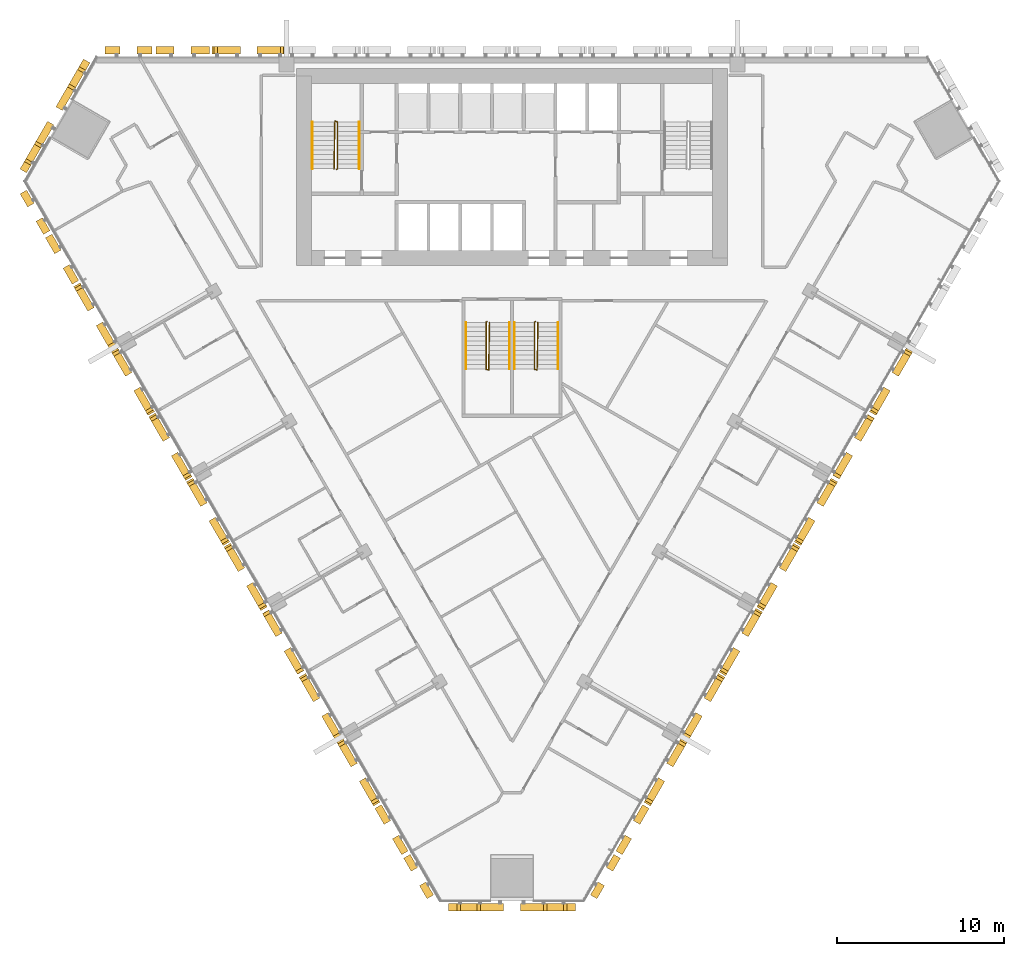
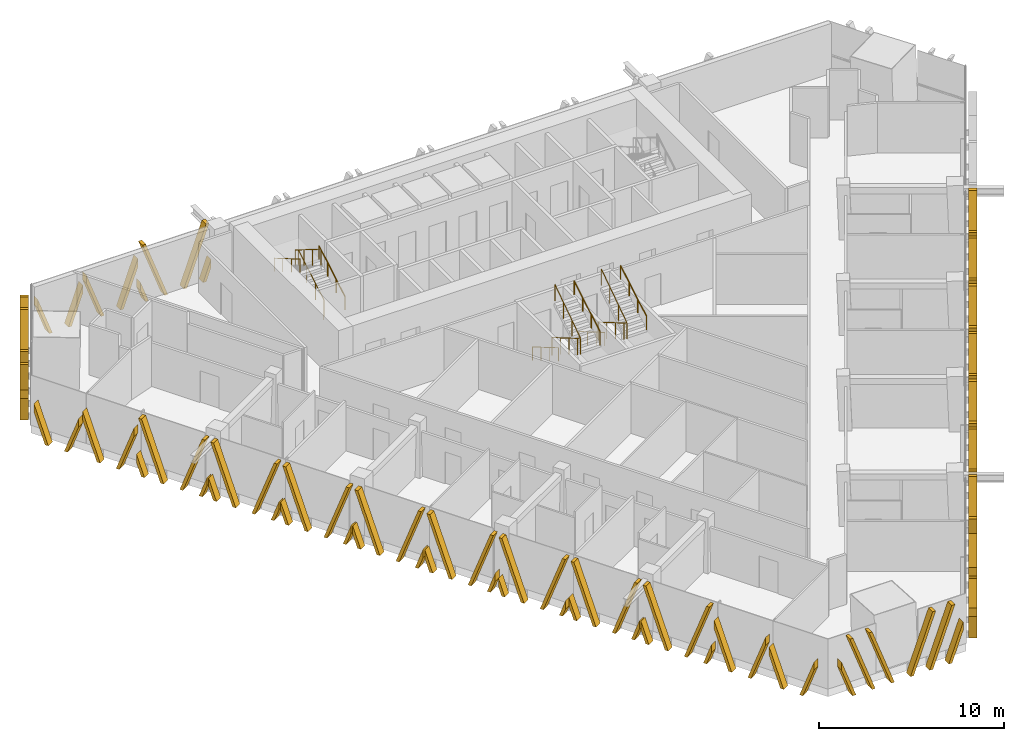
# One storey, part 13 of 15: 26 shading devices, 9 railings.
"""IFC4 building model written with IfcOpenShell, lengths in metres."""

from ifc_helpers import new_model, si_unit, direction, frame, origin, origin_2d, place, context, subcontext, project, spatial, polyline, circle, outline, extrude, source, transform, mapped, material, type_object, element, save


model = new_model("IFC4")

# Units and contexts
model_context = context("Model", 3, precision=1e-05, world=origin(), true_north=direction((0.0, 1.0)))
body_context = subcontext(model_context, "Body", "Model", "MODEL_VIEW")
ifc_project = project(units=[si_unit("LENGTHUNIT", "METRE"), si_unit("AREAUNIT", "SQUARE_METRE"), si_unit("VOLUMEUNIT", "CUBIC_METRE"), si_unit("PLANEANGLEUNIT", "RADIAN"), si_unit("MASSUNIT", "GRAM", prefix="KILO")], contexts=[model_context])

# Site, building, storey
site_placement = place(None, origin())
site = spatial("IfcSite", under=ifc_project, at=site_placement, CompositionType="ELEMENT")
building_placement = place(site_placement, origin())
building = spatial("IfcBuilding", under=site, at=building_placement, Name="Altiplano Prism Tower", CompositionType="ELEMENT")
storey_placement = place(building_placement, frame((0.0, 0.0, 91.800048828125)))
storey = spatial("IfcBuildingStorey", under=building, at=storey_placement, Name="L23", CompositionType="ELEMENT", Elevation=91.800048828125)

# Railings
ifc_material_1 = material(Name="Steel S355", Category="steel")
railing_type_1 = type_object("IfcRailingType", Name="Stair guard 1100", PredefinedType="GUARDRAIL", material=ifc_material_1)
railing_1_placement = place(storey_placement, frame((74.5, 98.25, 0.0)))
element("IfcRailing", 1, at=railing_1_placement, inside=storey, type_object=railing_type_1, Name="L23 ST1 stair guard 1", PredefinedType="GUARDRAIL", context=body_context, shape_type="SweptSolid", body=[
    extrude(circle(Radius=0.02392578125, at=origin_2d()), frame((0.0, 0.0, 1.076171875), z_axis=(0.280808744504, 0.280808744504, 0.917765164963), x_axis=(-0.707106781187, 0.707106781187, 0.0)), (0.0, 0.0, 1.0), 0.17822265625),
    extrude(circle(Radius=0.02392578125, at=origin_2d()), frame((0.050048828125, 0.050048828125, 1.23974609375), z_axis=(0.0, 0.863360870873, 0.504586966384), x_axis=(-1.0, 0.0, 0.0)), (0.0, 0.0, 1.0), 3.2431640625),
    extrude(circle(Radius=0.02392578125, at=origin_2d()), frame((0.050048828125, 2.85009765625, 2.8759765625), z_axis=(-0.949145278916, 0.314838433982, 0.0), x_axis=(-0.314838433982, -0.949145278916, 0.0)), (0.0, 0.0, 1.0), 0.158203125),
    extrude(circle(Radius=0.02392578125, at=origin_2d()), frame((-0.10009765625, 2.89990234375, 2.8759765625), z_axis=(-0.014774583964, -0.845410385345, 0.533912906773), x_axis=(0.999847325713, -0.01747355902, 0.0)), (0.0, 0.0, 1.0), 3.370849609375),
    extrude(circle(Radius=0.02099609375, at=origin_2d()), origin(), (0.0, 0.0, 1.0), 1.052001953125),
    extrude(circle(Radius=0.02099609375, at=origin_2d()), frame((0.050048828125, 0.050048828125, 0.16357421875)), (0.0, 0.0, 1.0), 1.052001953125),
    extrude(circle(Radius=0.02099609375, at=origin_2d()), frame((0.050048828125, 0.9833984375, 0.708984375)), (0.0, 0.0, 1.0), 1.052001953125),
    extrude(circle(Radius=0.02099609375, at=origin_2d()), frame((0.050048828125, 1.916748046875, 1.254638671875)), (0.0, 0.0, 1.0), 1.052001953125),
    extrude(circle(Radius=0.02099609375, at=origin_2d()), frame((0.050048828125, 2.85009765625, 1.800048828125)), (0.0, 0.0, 1.0), 1.052001953125),
    extrude(circle(Radius=0.02099609375, at=origin_2d()), frame((-0.10009765625, 2.89990234375, 1.800048828125)), (0.0, 0.0, 1.0), 1.052001953125),
    extrude(circle(Radius=0.02099609375, at=origin_2d()), frame((-0.11669921875, 1.949951171875, 2.39990234375)), (0.0, 0.0, 1.0), 1.052001953125),
    extrude(circle(Radius=0.02099609375, at=origin_2d()), frame((-0.13330078125, 1.0, 3.0)), (0.0, 0.0, 1.0), 1.052001953125),
    extrude(circle(Radius=0.02099609375, at=origin_2d()), frame((-0.14990234375, 0.050048828125, 3.599853515625)), (0.0, 0.0, 1.0), 1.052001953125),
])
railing_2_placement = place(storey_placement, frame((83.5, 89.14990234375, 0.0)))
element("IfcRailing", 2, at=railing_2_placement, inside=storey, type_object=railing_type_1, Name="L23 ST3A stair guard 1", PredefinedType="GUARDRAIL", context=body_context, shape_type="SweptSolid", body=[
    extrude(circle(Radius=0.02392578125, at=origin_2d()), frame((0.0, 0.0, 1.076171875), z_axis=(-0.280916556609, -0.279546231943, 0.91811752648), x_axis=(0.705375805398, -0.708833529934, 0.0)), (0.0, 0.0, 1.0), 0.17822265625),
    extrude(circle(Radius=0.02392578125, at=origin_2d()), frame((-0.050048828125, -0.0498046875, 1.23974609375), z_axis=(0.0, -0.863360870873, 0.504586966384), x_axis=(1.0, 0.0, 0.0)), (0.0, 0.0, 1.0), 3.2431640625),
    extrude(circle(Radius=0.02392578125, at=origin_2d()), frame((-0.050048828125, -2.849853515625, 2.8759765625), z_axis=(0.948683298051, -0.316227766017, 0.0), x_axis=(0.316227766017, 0.948683298051, 0.0)), (0.0, 0.0, 1.0), 0.158203125),
    extrude(circle(Radius=0.02392578125, at=origin_2d()), frame((0.10009765625, -2.89990234375, 2.8759765625), z_axis=(0.014773679385, 0.845431044782, 0.53388021776), x_axis=(-0.999847351862, 0.017472062685, 0.0)), (0.0, 0.0, 1.0), 3.37109375),
    extrude(circle(Radius=0.02099609375, at=origin_2d()), origin(), (0.0, 0.0, 1.0), 1.052001953125),
    extrude(circle(Radius=0.02099609375, at=origin_2d()), frame((-0.050048828125, -0.0498046875, 0.16357421875)), (0.0, 0.0, 1.0), 1.052001953125),
    extrude(circle(Radius=0.02099609375, at=origin_2d()), frame((-0.050048828125, -0.983154296875, 0.708984375)), (0.0, 0.0, 1.0), 1.052001953125),
    extrude(circle(Radius=0.02099609375, at=origin_2d()), frame((-0.050048828125, -1.91650390625, 1.254638671875)), (0.0, 0.0, 1.0), 1.052001953125),
    extrude(circle(Radius=0.02099609375, at=origin_2d()), frame((-0.050048828125, -2.849853515625, 1.800048828125)), (0.0, 0.0, 1.0), 1.052001953125),
    extrude(circle(Radius=0.02099609375, at=origin_2d()), frame((0.10009765625, -2.89990234375, 1.800048828125)), (0.0, 0.0, 1.0), 1.052001953125),
    extrude(circle(Radius=0.02099609375, at=origin_2d()), frame((0.11669921875, -1.949951171875, 2.39990234375)), (0.0, 0.0, 1.0), 1.052001953125),
    extrude(circle(Radius=0.02099609375, at=origin_2d()), frame((0.13330078125, -0.999755859375, 3.0)), (0.0, 0.0, 1.0), 1.052001953125),
    extrude(circle(Radius=0.02099609375, at=origin_2d()), frame((0.14990234375, -0.0498046875, 3.599853515625)), (0.0, 0.0, 1.0), 1.052001953125),
])
railing_3_placement = place(storey_placement, frame((86.39990234375, 89.14990234375, 0.0)))
element("IfcRailing", 3, at=railing_3_placement, inside=storey, type_object=railing_type_1, Name="L23 ST3B stair guard 1", PredefinedType="GUARDRAIL", context=body_context, shape_type="SweptSolid", body=[
    extrude(circle(Radius=0.02392578125, at=origin_2d()), frame((0.0, 0.0, 1.076171875), z_axis=(-0.279653641804, -0.279653641804, 0.918470294159), x_axis=(0.707106781187, -0.707106781187, 0.0)), (0.0, 0.0, 1.0), 0.177978515625),
    extrude(circle(Radius=0.02392578125, at=origin_2d()), frame((-0.0498046875, -0.0498046875, 1.23974609375), z_axis=(0.0, -0.863360870873, 0.504586966384), x_axis=(1.0, 0.0, 0.0)), (0.0, 0.0, 1.0), 3.2431640625),
    extrude(circle(Radius=0.02392578125, at=origin_2d()), frame((-0.0498046875, -2.849853515625, 2.8759765625), z_axis=(0.948528701346, -0.316691178788, 0.0), x_axis=(0.316691178788, 0.948528701346, 0.0)), (0.0, 0.0, 1.0), 0.157958984375),
    extrude(circle(Radius=0.02392578125, at=origin_2d()), frame((0.10009765625, -2.89990234375, 2.8759765625), z_axis=(0.014846083459, 0.845430138032, 0.533879645158), x_axis=(-0.999845851991, 0.017557683712, 0.0)), (0.0, 0.0, 1.0), 3.37109375),
    extrude(circle(Radius=0.02099609375, at=origin_2d()), origin(), (0.0, 0.0, 1.0), 1.052001953125),
    extrude(circle(Radius=0.02099609375, at=origin_2d()), frame((-0.0498046875, -0.0498046875, 0.16357421875)), (0.0, 0.0, 1.0), 1.052001953125),
    extrude(circle(Radius=0.02099609375, at=origin_2d()), frame((-0.0498046875, -0.983154296875, 0.708984375)), (0.0, 0.0, 1.0), 1.052001953125),
    extrude(circle(Radius=0.02099609375, at=origin_2d()), frame((-0.0498046875, -1.91650390625, 1.254638671875)), (0.0, 0.0, 1.0), 1.052001953125),
    extrude(circle(Radius=0.02099609375, at=origin_2d()), frame((-0.0498046875, -2.849853515625, 1.800048828125)), (0.0, 0.0, 1.0), 1.052001953125),
    extrude(circle(Radius=0.02099609375, at=origin_2d()), frame((0.10009765625, -2.89990234375, 1.800048828125)), (0.0, 0.0, 1.0), 1.052001953125),
    extrude(circle(Radius=0.02099609375, at=origin_2d()), frame((0.11669921875, -1.949951171875, 2.39990234375)), (0.0, 0.0, 1.0), 1.052001953125),
    extrude(circle(Radius=0.02099609375, at=origin_2d()), frame((0.133544921875, -0.999755859375, 3.0)), (0.0, 0.0, 1.0), 1.052001953125),
    extrude(circle(Radius=0.02099609375, at=origin_2d()), frame((0.150146484375, -0.0498046875, 3.599853515625)), (0.0, 0.0, 1.0), 1.052001953125),
])
railing_type_2 = type_object("IfcRailingType", Name="Stair handrail 900", PredefinedType="HANDRAIL", material=ifc_material_1)
railing_4_placement = place(storey_placement, frame((75.85009765625, 98.300048828125, 0.16357421875)))
element("IfcRailing", 4, at=railing_4_placement, inside=storey, type_object=railing_type_2, Name="L23 ST1 stair handrail 1", PredefinedType="HANDRAIL", context=body_context, shape_type="SweptSolid", body=[
    extrude(circle(Radius=0.02392578125, at=origin_2d()), frame((0.0, 0.0, 0.8759765625), z_axis=(0.0, 0.863360870873, 0.504586966384), x_axis=(-1.0, 0.0, 0.0)), (0.0, 0.0, 1.0), 3.2431640625),
    extrude(circle(Radius=0.02099609375, at=origin_2d()), origin(), (0.0, 0.0, 1.0), 0.851806640625),
    extrude(circle(Radius=0.02099609375, at=origin_2d()), frame((0.0, 0.933349609375, 0.54541015625)), (0.0, 0.0, 1.0), 0.851806640625),
    extrude(circle(Radius=0.02099609375, at=origin_2d()), frame((0.0, 1.86669921875, 1.091064453125)), (0.0, 0.0, 1.0), 0.851806640625),
    extrude(circle(Radius=0.02099609375, at=origin_2d()), frame((0.0, 2.800048828125, 1.636474609375)), (0.0, 0.0, 1.0), 0.851806640625),
])
railing_5_placement = place(storey_placement, frame((73.050048828125, 101.10009765625, 1.963623046875)))
element("IfcRailing", 5, at=railing_5_placement, inside=storey, type_object=railing_type_2, Name="L23 ST1 stair handrail 2", PredefinedType="HANDRAIL", context=body_context, shape_type="SweptSolid", body=[
    extrude(circle(Radius=0.02392578125, at=origin_2d()), frame((0.0, 0.0, 0.8759765625), z_axis=(0.0, -0.863393664356, 0.504530851732), x_axis=(1.0, 0.0, 0.0)), (0.0, 0.0, 1.0), 3.2431640625),
    extrude(circle(Radius=0.02099609375, at=origin_2d()), origin(), (0.0, 0.0, 1.0), 0.851806640625),
    extrude(circle(Radius=0.02099609375, at=origin_2d()), frame((0.0, -0.933349609375, 0.54541015625)), (0.0, 0.0, 1.0), 0.851806640625),
    extrude(circle(Radius=0.02099609375, at=origin_2d()), frame((0.0, -1.86669921875, 1.0908203125)), (0.0, 0.0, 1.0), 0.851806640625),
    extrude(circle(Radius=0.02099609375, at=origin_2d()), frame((0.0, -2.800048828125, 1.63623046875)), (0.0, 0.0, 1.0), 0.851806640625),
])
railing_6_placement = place(storey_placement, frame((82.25, 89.10009765625, 0.16357421875)))
element("IfcRailing", 6, at=railing_6_placement, inside=storey, type_object=railing_type_2, Name="L23 ST3A stair handrail 1", PredefinedType="HANDRAIL", context=body_context, shape_type="SweptSolid", body=[
    extrude(circle(Radius=0.02392578125, at=origin_2d()), frame((0.0, 0.0, 0.8759765625), z_axis=(0.0, -0.863360870873, 0.504586966384), x_axis=(1.0, 0.0, 0.0)), (0.0, 0.0, 1.0), 3.2431640625),
    extrude(circle(Radius=0.02099609375, at=origin_2d()), origin(), (0.0, 0.0, 1.0), 0.851806640625),
    extrude(circle(Radius=0.02099609375, at=origin_2d()), frame((0.0, -0.933349609375, 0.54541015625)), (0.0, 0.0, 1.0), 0.851806640625),
    extrude(circle(Radius=0.02099609375, at=origin_2d()), frame((0.0, -1.86669921875, 1.091064453125)), (0.0, 0.0, 1.0), 0.851806640625),
    extrude(circle(Radius=0.02099609375, at=origin_2d()), frame((0.0, -2.800048828125, 1.636474609375)), (0.0, 0.0, 1.0), 0.851806640625),
])
railing_7_placement = place(storey_placement, frame((84.85009765625, 86.300048828125, 1.963623046875)))
element("IfcRailing", 7, at=railing_7_placement, inside=storey, type_object=railing_type_2, Name="L23 ST3A stair handrail 2", PredefinedType="HANDRAIL", context=body_context, shape_type="SweptSolid", body=[
    extrude(circle(Radius=0.02392578125, at=origin_2d()), frame((0.0, 0.0, 0.8759765625), z_axis=(0.0, 0.863393664356, 0.504530851732), x_axis=(-1.0, 0.0, 0.0)), (0.0, 0.0, 1.0), 3.2431640625),
    extrude(circle(Radius=0.02099609375, at=origin_2d()), origin(), (0.0, 0.0, 1.0), 0.851806640625),
    extrude(circle(Radius=0.02099609375, at=origin_2d()), frame((0.0, 0.933349609375, 0.54541015625)), (0.0, 0.0, 1.0), 0.851806640625),
    extrude(circle(Radius=0.02099609375, at=origin_2d()), frame((0.0, 1.86669921875, 1.0908203125)), (0.0, 0.0, 1.0), 0.851806640625),
    extrude(circle(Radius=0.02099609375, at=origin_2d()), frame((0.0, 2.800048828125, 1.63623046875)), (0.0, 0.0, 1.0), 0.851806640625),
])
railing_8_placement = place(storey_placement, frame((85.14990234375, 89.10009765625, 0.16357421875)))
element("IfcRailing", 8, at=railing_8_placement, inside=storey, type_object=railing_type_2, Name="L23 ST3B stair handrail 1", PredefinedType="HANDRAIL", context=body_context, shape_type="SweptSolid", body=[
    extrude(circle(Radius=0.02392578125, at=origin_2d()), frame((0.0, 0.0, 0.8759765625), z_axis=(0.0, -0.863360870873, 0.504586966384), x_axis=(1.0, 0.0, 0.0)), (0.0, 0.0, 1.0), 3.2431640625),
    extrude(circle(Radius=0.02099609375, at=origin_2d()), origin(), (0.0, 0.0, 1.0), 0.851806640625),
    extrude(circle(Radius=0.02099609375, at=origin_2d()), frame((0.0, -0.933349609375, 0.54541015625)), (0.0, 0.0, 1.0), 0.851806640625),
    extrude(circle(Radius=0.02099609375, at=origin_2d()), frame((0.0, -1.86669921875, 1.091064453125)), (0.0, 0.0, 1.0), 0.851806640625),
    extrude(circle(Radius=0.02099609375, at=origin_2d()), frame((0.0, -2.800048828125, 1.636474609375)), (0.0, 0.0, 1.0), 0.851806640625),
])
railing_9_placement = place(storey_placement, frame((87.75, 86.300048828125, 1.963623046875)))
element("IfcRailing", 9, at=railing_9_placement, inside=storey, type_object=railing_type_2, Name="L23 ST3B stair handrail 2", PredefinedType="HANDRAIL", context=body_context, shape_type="SweptSolid", body=[
    extrude(circle(Radius=0.02392578125, at=origin_2d()), frame((0.0, 0.0, 0.8759765625), z_axis=(0.0, 0.863393664356, 0.504530851732), x_axis=(-1.0, 0.0, 0.0)), (0.0, 0.0, 1.0), 3.2431640625),
    extrude(circle(Radius=0.02099609375, at=origin_2d()), origin(), (0.0, 0.0, 1.0), 0.851806640625),
    extrude(circle(Radius=0.02099609375, at=origin_2d()), frame((0.0, 0.933349609375, 0.54541015625)), (0.0, 0.0, 1.0), 0.851806640625),
    extrude(circle(Radius=0.02099609375, at=origin_2d()), frame((0.0, 1.86669921875, 1.0908203125)), (0.0, 0.0, 1.0), 0.851806640625),
    extrude(circle(Radius=0.02099609375, at=origin_2d()), frame((0.0, 2.800048828125, 1.63623046875)), (0.0, 0.0, 1.0), 0.851806640625),
])

# Shading devices
ifc_material_2 = material(Name="Warm limestone cast stone", Category="masonry")
shading_device_type_1 = type_object("IfcShadingDeviceType", Name="Stone fin panel, narrow closing bay", PredefinedType="USERDEFINED", material=ifc_material_2)
shared_shape_1 = source(origin(), body_context, "Body", "SweptSolid", [
    extrude(outline(polyline([(-1.39990234375, 2.47265625), (-1.39990234375, 1.923095703125), (-0.699951171875, 0.0), (-0.5, 0.0), (-1.39990234375, 2.47265625)])), frame((0.0, -0.14990234375, 0.0), z_axis=(0.0, -1.0, 0.0), x_axis=(1.0, 0.0, 0.0)), (0.0, 0.0, 1.0), 0.4501953125),
    extrude(outline(polyline([(1.39990234375, 1.923095703125), (1.39990234375, 2.47265625), (0.5, 0.0), (0.699951171875, 0.0), (1.39990234375, 1.923095703125)])), frame((0.0, -0.14990234375, 0.0), z_axis=(0.0, -1.0, 0.0), x_axis=(1.0, 0.0, 0.0)), (0.0, 0.0, 1.0), 0.4501953125),
])
shading_device_1_placement = place(storey_placement, origin())
element("IfcShadingDevice", 10, at=shading_device_1_placement, inside=storey, type_object=shading_device_type_1, Name="Fin L23 north face 12", ObjectType="FIN", PredefinedType="USERDEFINED", context=body_context, shape_type="MappedRepresentation", body=[
    mapped(shared_shape_1, transform((62.040771484375, 105.0, -0.5), x_axis=(-1.0, 0.0, 0.0), y_axis=(0.0, -1.0, 0.0), z_axis=(0.0, 0.0, 1.0))),
])
shading_device_2_placement = place(storey_placement, origin())
element("IfcShadingDevice", 11, at=shading_device_2_placement, inside=storey, type_object=shading_device_type_1, Name="Fin L23 south-west face 1", ObjectType="FIN", PredefinedType="USERDEFINED", context=body_context, shape_type="MappedRepresentation", body=[
    mapped(shared_shape_1, transform((56.773681640625, 95.876953125, -0.5), x_axis=(0.500000011188, -0.866025397325, 0.0), y_axis=(0.866025397325, 0.500000011188, 0.0), z_axis=(0.0, 0.0, 1.0))),
])
shading_device_3_placement = place(storey_placement, origin())
element("IfcShadingDevice", 12, at=shading_device_3_placement, inside=storey, type_object=shading_device_type_1, Name="Fin L23 south-west face 12", ObjectType="FIN", PredefinedType="USERDEFINED", context=body_context, shape_type="MappedRepresentation", body=[
    mapped(shared_shape_1, transform((79.73291015625, 56.110595703125, -0.5), x_axis=(0.500000011188, -0.866025397325, 0.0), y_axis=(0.866025397325, 0.500000011188, 0.0), z_axis=(0.0, 0.0, 1.0))),
])
shading_device_4_placement = place(storey_placement, origin())
element("IfcShadingDevice", 13, at=shading_device_4_placement, inside=storey, type_object=shading_device_type_1, Name="Fin L23 south-east face 1", ObjectType="FIN", PredefinedType="USERDEFINED", context=body_context, shape_type="MappedRepresentation", body=[
    mapped(shared_shape_1, transform((90.26708984375, 56.110595703125, -0.5), x_axis=(0.500000011188, 0.866025397325, 0.0), y_axis=(-0.866025397325, 0.500000011188, 0.0), z_axis=(0.0, 0.0, 1.0))),
])
shared_shape_2 = source(origin(), body_context, "Body", "SweptSolid", [
    extrude(outline(polyline([(-1.60009765625, 3.022216796875), (-1.60009765625, 2.47265625), (-0.699951171875, 0.0), (-0.5, 0.0), (-1.60009765625, 3.022216796875)])), frame((0.0, -0.14990234375, 0.0), z_axis=(0.0, -1.0, 0.0), x_axis=(1.0, 0.0, 0.0)), (0.0, 0.0, 1.0), 0.4501953125),
    extrude(outline(polyline([(1.60009765625, 2.47265625), (1.60009765625, 3.022216796875), (0.5, 0.0), (0.699951171875, 0.0), (1.60009765625, 2.47265625)])), frame((0.0, -0.14990234375, 0.0), z_axis=(0.0, -1.0, 0.0), x_axis=(1.0, 0.0, 0.0)), (0.0, 0.0, 1.0), 0.4501953125),
])
shading_device_5_placement = place(storey_placement, origin())
element("IfcShadingDevice", 14, at=shading_device_5_placement, inside=storey, type_object=shading_device_type_1, Name="Fin L23 north face 11", ObjectType="FIN", PredefinedType="USERDEFINED", context=body_context, shape_type="MappedRepresentation", body=[
    mapped(shared_shape_2, transform((65.2802734375, 105.0, -0.5), x_axis=(-1.0, 0.0, 0.0), y_axis=(0.0, -1.0, 0.0), z_axis=(0.0, 0.0, 1.0))),
])
shading_device_6_placement = place(storey_placement, origin())
element("IfcShadingDevice", 15, at=shading_device_6_placement, inside=storey, type_object=shading_device_type_1, Name="Fin L23 south-west face 2", ObjectType="FIN", PredefinedType="USERDEFINED", context=body_context, shape_type="MappedRepresentation", body=[
    mapped(shared_shape_2, transform((58.393310546875, 93.071533203125, -0.5), x_axis=(0.500000011188, -0.866025397325, 0.0), y_axis=(0.866025397325, 0.500000011188, 0.0), z_axis=(0.0, 0.0, 1.0))),
])
shading_device_7_placement = place(storey_placement, origin())
element("IfcShadingDevice", 16, at=shading_device_7_placement, inside=storey, type_object=shading_device_type_1, Name="Fin L23 south-west face 11", ObjectType="FIN", PredefinedType="USERDEFINED", context=body_context, shape_type="MappedRepresentation", body=[
    mapped(shared_shape_2, transform((78.113037109375, 58.916015625, -0.5), x_axis=(0.500000011188, -0.866025397325, 0.0), y_axis=(0.866025397325, 0.500000011188, 0.0), z_axis=(0.0, 0.0, 1.0))),
])
shading_device_8_placement = place(storey_placement, origin())
element("IfcShadingDevice", 17, at=shading_device_8_placement, inside=storey, type_object=shading_device_type_1, Name="Fin L23 south-east face 2", ObjectType="FIN", PredefinedType="USERDEFINED", context=body_context, shape_type="MappedRepresentation", body=[
    mapped(shared_shape_2, transform((91.886962890625, 58.916015625, -0.5), x_axis=(0.500000011188, 0.866025397325, 0.0), y_axis=(-0.866025397325, 0.500000011188, 0.0), z_axis=(0.0, 0.0, 1.0))),
])
shading_device_type_2 = type_object("IfcShadingDeviceType", Name="Stone fin panel, standard unit", PredefinedType="USERDEFINED", material=ifc_material_2)
shared_shape_3 = source(origin(), body_context, "Body", "SweptSolid", [
    extrude(outline(polyline([(-2.199951171875, 1.373779296875), (-2.199951171875, 0.82421875), (-1.89990234375, 0.0), (-1.699951171875, 0.0), (-2.199951171875, 1.373779296875)])), frame((0.0, -0.14990234375, 0.0), z_axis=(0.0, -1.0, 0.0), x_axis=(1.0, 0.0, 0.0)), (0.0, 0.0, 1.0), 0.4501953125),
    extrude(outline(polyline([(-2.0830078125, 3.800048828125), (-0.699951171875, 0.0), (-0.5, 0.0), (-1.883056640625, 3.800048828125), (-2.0830078125, 3.800048828125)])), frame((0.0, -0.14990234375, 0.0), z_axis=(0.0, -1.0, 0.0), x_axis=(1.0, 0.0, 0.0)), (0.0, 0.0, 1.0), 0.4501953125),
    extrude(outline(polyline([(1.883056640625, 3.800048828125), (0.5, 0.0), (0.699951171875, 0.0), (2.0830078125, 3.800048828125), (1.883056640625, 3.800048828125)])), frame((0.0, -0.14990234375, 0.0), z_axis=(0.0, -1.0, 0.0), x_axis=(1.0, 0.0, 0.0)), (0.0, 0.0, 1.0), 0.4501953125),
    extrude(outline(polyline([(2.199951171875, 0.82421875), (2.199951171875, 1.373779296875), (1.699951171875, 0.0), (1.89990234375, 0.0), (2.199951171875, 0.82421875)])), frame((0.0, -0.14990234375, 0.0), z_axis=(0.0, -1.0, 0.0), x_axis=(1.0, 0.0, 0.0)), (0.0, 0.0, 1.0), 0.4501953125),
])
shading_device_9_placement = place(storey_placement, origin())
element("IfcShadingDevice", 18, at=shading_device_9_placement, inside=storey, type_object=shading_device_type_2, Name="Fin L23 north face 10", ObjectType="FIN", PredefinedType="USERDEFINED", context=body_context, shape_type="MappedRepresentation", body=[
    mapped(shared_shape_3, transform((69.25, 105.0, -0.5), x_axis=(-1.0, 0.0, 0.0), y_axis=(0.0, -1.0, 0.0), z_axis=(0.0, 0.0, 1.0))),
])
shading_device_10_placement = place(storey_placement, origin())
element("IfcShadingDevice", 19, at=shading_device_10_placement, inside=storey, type_object=shading_device_type_2, Name="Fin L23 south-west face 3", ObjectType="FIN", PredefinedType="USERDEFINED", context=body_context, shape_type="MappedRepresentation", body=[
    mapped(shared_shape_3, transform((60.378173828125, 89.6337890625, -0.5), x_axis=(0.500000011188, -0.866025397325, 0.0), y_axis=(0.866025397325, 0.500000011188, 0.0), z_axis=(0.0, 0.0, 1.0))),
])
shading_device_11_placement = place(storey_placement, origin())
element("IfcShadingDevice", 20, at=shading_device_11_placement, inside=storey, type_object=shading_device_type_2, Name="Fin L23 south-west face 4", ObjectType="FIN", PredefinedType="USERDEFINED", context=body_context, shape_type="MappedRepresentation", body=[
    mapped(shared_shape_3, transform((62.628173828125, 85.736572265625, -0.5), x_axis=(0.500000011188, -0.866025397325, 0.0), y_axis=(0.866025397325, 0.500000011188, 0.0), z_axis=(0.0, 0.0, 1.0))),
])
shading_device_12_placement = place(storey_placement, origin())
element("IfcShadingDevice", 21, at=shading_device_12_placement, inside=storey, type_object=shading_device_type_2, Name="Fin L23 south-west face 5", ObjectType="FIN", PredefinedType="USERDEFINED", context=body_context, shape_type="MappedRepresentation", body=[
    mapped(shared_shape_3, transform((64.878173828125, 81.839599609375, -0.5), x_axis=(0.500000011188, -0.866025397325, 0.0), y_axis=(0.866025397325, 0.500000011188, 0.0), z_axis=(0.0, 0.0, 1.0))),
])
shading_device_13_placement = place(storey_placement, origin())
element("IfcShadingDevice", 22, at=shading_device_13_placement, inside=storey, type_object=shading_device_type_2, Name="Fin L23 south-west face 6", ObjectType="FIN", PredefinedType="USERDEFINED", context=body_context, shape_type="MappedRepresentation", body=[
    mapped(shared_shape_3, transform((67.128173828125, 77.9423828125, -0.5), x_axis=(0.500000011188, -0.866025397325, 0.0), y_axis=(0.866025397325, 0.500000011188, 0.0), z_axis=(0.0, 0.0, 1.0))),
])
shading_device_14_placement = place(storey_placement, origin())
element("IfcShadingDevice", 23, at=shading_device_14_placement, inside=storey, type_object=shading_device_type_2, Name="Fin L23 south-west face 7", ObjectType="FIN", PredefinedType="USERDEFINED", context=body_context, shape_type="MappedRepresentation", body=[
    mapped(shared_shape_3, transform((69.378173828125, 74.045166015625, -0.5), x_axis=(0.500000011188, -0.866025397325, 0.0), y_axis=(0.866025397325, 0.500000011188, 0.0), z_axis=(0.0, 0.0, 1.0))),
])
shading_device_15_placement = place(storey_placement, origin())
element("IfcShadingDevice", 24, at=shading_device_15_placement, inside=storey, type_object=shading_device_type_2, Name="Fin L23 south-west face 9", ObjectType="FIN", PredefinedType="USERDEFINED", context=body_context, shape_type="MappedRepresentation", body=[
    mapped(shared_shape_3, transform((73.878173828125, 66.2509765625, -0.5), x_axis=(0.500000011188, -0.866025397325, 0.0), y_axis=(0.866025397325, 0.500000011188, 0.0), z_axis=(0.0, 0.0, 1.0))),
])
shading_device_16_placement = place(storey_placement, origin())
element("IfcShadingDevice", 25, at=shading_device_16_placement, inside=storey, type_object=shading_device_type_2, Name="Fin L23 south-west face 10", ObjectType="FIN", PredefinedType="USERDEFINED", context=body_context, shape_type="MappedRepresentation", body=[
    mapped(shared_shape_3, transform((76.128173828125, 62.35400390625, -0.5), x_axis=(0.500000011188, -0.866025397325, 0.0), y_axis=(0.866025397325, 0.500000011188, 0.0), z_axis=(0.0, 0.0, 1.0))),
])
shading_device_17_placement = place(storey_placement, origin())
element("IfcShadingDevice", 26, at=shading_device_17_placement, inside=storey, type_object=shading_device_type_2, Name="Fin L23 south-east face 3", ObjectType="FIN", PredefinedType="USERDEFINED", context=body_context, shape_type="MappedRepresentation", body=[
    mapped(shared_shape_3, transform((93.871826171875, 62.35400390625, -0.5), x_axis=(0.500000011188, 0.866025397325, 0.0), y_axis=(-0.866025397325, 0.500000011188, 0.0), z_axis=(0.0, 0.0, 1.0))),
])
shading_device_18_placement = place(storey_placement, origin())
element("IfcShadingDevice", 27, at=shading_device_18_placement, inside=storey, type_object=shading_device_type_2, Name="Fin L23 south-east face 4", ObjectType="FIN", PredefinedType="USERDEFINED", context=body_context, shape_type="MappedRepresentation", body=[
    mapped(shared_shape_3, transform((96.121826171875, 66.2509765625, -0.5), x_axis=(0.500000011188, 0.866025397325, 0.0), y_axis=(-0.866025397325, 0.500000011188, 0.0), z_axis=(0.0, 0.0, 1.0))),
])
shading_device_19_placement = place(storey_placement, origin())
element("IfcShadingDevice", 28, at=shading_device_19_placement, inside=storey, type_object=shading_device_type_2, Name="Fin L23 south-east face 5", ObjectType="FIN", PredefinedType="USERDEFINED", context=body_context, shape_type="MappedRepresentation", body=[
    mapped(shared_shape_3, transform((98.371826171875, 70.148193359375, -0.5), x_axis=(0.500000011188, 0.866025397325, 0.0), y_axis=(-0.866025397325, 0.500000011188, 0.0), z_axis=(0.0, 0.0, 1.0))),
])
shading_device_20_placement = place(storey_placement, origin())
element("IfcShadingDevice", 29, at=shading_device_20_placement, inside=storey, type_object=shading_device_type_2, Name="Fin L23 south-east face 6", ObjectType="FIN", PredefinedType="USERDEFINED", context=body_context, shape_type="MappedRepresentation", body=[
    mapped(shared_shape_3, transform((100.621826171875, 74.045166015625, -0.5), x_axis=(0.500000011188, 0.866025397325, 0.0), y_axis=(-0.866025397325, 0.500000011188, 0.0), z_axis=(0.0, 0.0, 1.0))),
])
shading_device_21_placement = place(storey_placement, origin())
element("IfcShadingDevice", 30, at=shading_device_21_placement, inside=storey, type_object=shading_device_type_2, Name="Fin L23 south-east face 7", ObjectType="FIN", PredefinedType="USERDEFINED", context=body_context, shape_type="MappedRepresentation", body=[
    mapped(shared_shape_3, transform((102.871826171875, 77.9423828125, -0.5), x_axis=(0.500000011188, 0.866025397325, 0.0), y_axis=(-0.866025397325, 0.500000011188, 0.0), z_axis=(0.0, 0.0, 1.0))),
])
shading_device_22_placement = place(storey_placement, origin())
element("IfcShadingDevice", 31, at=shading_device_22_placement, inside=storey, type_object=shading_device_type_2, Name="Fin L23 south-east face 9", ObjectType="FIN", PredefinedType="USERDEFINED", context=body_context, shape_type="MappedRepresentation", body=[
    mapped(shared_shape_3, transform((107.371826171875, 85.736572265625, -0.5), x_axis=(0.500000011188, 0.866025397325, 0.0), y_axis=(-0.866025397325, 0.500000011188, 0.0), z_axis=(0.0, 0.0, 1.0))),
])
shading_device_type_3 = type_object("IfcShadingDeviceType", Name="Stone fin panel, chamfer unit", PredefinedType="USERDEFINED", material=ifc_material_2)
shared_shape_4 = source(origin(), body_context, "Body", "SweptSolid", [
    extrude(outline(polyline([(-3.800048828125, 2.47265625), (-3.800048828125, 1.923095703125), (-3.10009765625, 0.0), (-2.89990234375, 0.0), (-3.800048828125, 2.47265625)])), frame((0.0, -0.14990234375, 0.0), z_axis=(0.0, -1.0, 0.0), x_axis=(1.0, 0.0, 0.0)), (0.0, 0.0, 1.0), 0.4501953125),
    extrude(outline(polyline([(-3.283203125, 3.800048828125), (-1.89990234375, 0.0), (-1.699951171875, 0.0), (-3.0830078125, 3.800048828125), (-3.283203125, 3.800048828125)])), frame((0.0, -0.14990234375, 0.0), z_axis=(0.0, -1.0, 0.0), x_axis=(1.0, 0.0, 0.0)), (0.0, 0.0, 1.0), 0.4501953125),
    extrude(outline(polyline([(-2.0830078125, 3.800048828125), (-0.699951171875, 0.0), (-0.5, 0.0), (-1.883056640625, 3.800048828125), (-2.0830078125, 3.800048828125)])), frame((0.0, -0.14990234375, 0.0), z_axis=(0.0, -1.0, 0.0), x_axis=(1.0, 0.0, 0.0)), (0.0, 0.0, 1.0), 0.4501953125),
    extrude(outline(polyline([(1.883056640625, 3.800048828125), (0.5, 0.0), (0.699951171875, 0.0), (2.0830078125, 3.800048828125), (1.883056640625, 3.800048828125)])), frame((0.0, -0.14990234375, 0.0), z_axis=(0.0, -1.0, 0.0), x_axis=(1.0, 0.0, 0.0)), (0.0, 0.0, 1.0), 0.4501953125),
    extrude(outline(polyline([(3.0830078125, 3.800048828125), (1.699951171875, 0.0), (1.89990234375, 0.0), (3.283203125, 3.800048828125), (3.0830078125, 3.800048828125)])), frame((0.0, -0.14990234375, 0.0), z_axis=(0.0, -1.0, 0.0), x_axis=(1.0, 0.0, 0.0)), (0.0, 0.0, 1.0), 0.4501953125),
    extrude(outline(polyline([(3.800048828125, 1.923095703125), (3.800048828125, 2.47265625), (2.89990234375, 0.0), (3.10009765625, 0.0), (3.800048828125, 1.923095703125)])), frame((0.0, -0.14990234375, 0.0), z_axis=(0.0, -1.0, 0.0), x_axis=(1.0, 0.0, 0.0)), (0.0, 0.0, 1.0), 0.4501953125),
])
shading_device_23_placement = place(storey_placement, origin())
element("IfcShadingDevice", 32, at=shading_device_23_placement, inside=storey, type_object=shading_device_type_3, Name="Fin L23 north-west chamfer 1", ObjectType="FIN", PredefinedType="USERDEFINED", context=body_context, shape_type="MappedRepresentation", body=[
    mapped(shared_shape_4, transform((57.967529296875, 101.269775390625, -0.5), x_axis=(-0.500000023969, -0.866025389946, 0.0), y_axis=(0.866025389946, -0.500000023969, 0.0), z_axis=(0.0, 0.0, 1.0))),
])
shading_device_24_placement = place(storey_placement, origin())
element("IfcShadingDevice", 33, at=shading_device_24_placement, inside=storey, type_object=shading_device_type_3, Name="Fin L23 south chamfer 1", ObjectType="FIN", PredefinedType="USERDEFINED", context=body_context, shape_type="MappedRepresentation", body=[
    mapped(shared_shape_4, transform((85.0, 54.447998046875, -0.5), x_axis=(1.0, 0.0, 0.0), y_axis=(0.0, 1.0, 0.0), z_axis=(0.0, 0.0, 1.0))),
])
shared_shape_5 = source(origin(), body_context, "Body", "SweptSolid", [
    extrude(outline(polyline([(-2.10009765625, 1.09912109375), (-2.10009765625, 0.549560546875), (-1.89990234375, 0.0), (-1.699951171875, 0.0), (-2.10009765625, 1.09912109375)])), frame((0.0, -0.14990234375, 0.0), z_axis=(0.0, -1.0, 0.0), x_axis=(1.0, 0.0, 0.0)), (0.0, 0.0, 1.0), 0.4501953125),
    extrude(outline(polyline([(-2.0830078125, 3.800048828125), (-0.699951171875, 0.0), (-0.5, 0.0), (-1.883056640625, 3.800048828125), (-2.0830078125, 3.800048828125)])), frame((0.0, -0.14990234375, 0.0), z_axis=(0.0, -1.0, 0.0), x_axis=(1.0, 0.0, 0.0)), (0.0, 0.0, 1.0), 0.4501953125),
    extrude(outline(polyline([(1.883056640625, 3.800048828125), (0.5, 0.0), (0.699951171875, 0.0), (2.0830078125, 3.800048828125), (1.883056640625, 3.800048828125)])), frame((0.0, -0.14990234375, 0.0), z_axis=(0.0, -1.0, 0.0), x_axis=(1.0, 0.0, 0.0)), (0.0, 0.0, 1.0), 0.4501953125),
    extrude(outline(polyline([(2.10009765625, 0.549560546875), (2.10009765625, 1.09912109375), (1.699951171875, 0.0), (1.89990234375, 0.0), (2.10009765625, 0.549560546875)])), frame((0.0, -0.14990234375, 0.0), z_axis=(0.0, -1.0, 0.0), x_axis=(1.0, 0.0, 0.0)), (0.0, 0.0, 1.0), 0.4501953125),
])
shading_device_25_placement = place(storey_placement, origin())
element("IfcShadingDevice", 34, at=shading_device_25_placement, inside=storey, type_object=shading_device_type_2, Name="Fin L23 south-west face 8", ObjectType="FIN", PredefinedType="USERDEFINED", context=body_context, shape_type="MappedRepresentation", body=[
    mapped(shared_shape_5, transform((71.628173828125, 70.148193359375, -0.5), x_axis=(0.500000011188, -0.866025397325, 0.0), y_axis=(0.866025397325, 0.500000011188, 0.0), z_axis=(0.0, 0.0, 1.0))),
])
shading_device_26_placement = place(storey_placement, origin())
element("IfcShadingDevice", 35, at=shading_device_26_placement, inside=storey, type_object=shading_device_type_2, Name="Fin L23 south-east face 8", ObjectType="FIN", PredefinedType="USERDEFINED", context=body_context, shape_type="MappedRepresentation", body=[
    mapped(shared_shape_5, transform((105.121826171875, 81.839599609375, -0.5), x_axis=(0.500000011188, 0.866025397325, 0.0), y_axis=(-0.866025397325, 0.500000011188, 0.0), z_axis=(0.0, 0.0, 1.0))),
])

save(model, "model.ifc")
